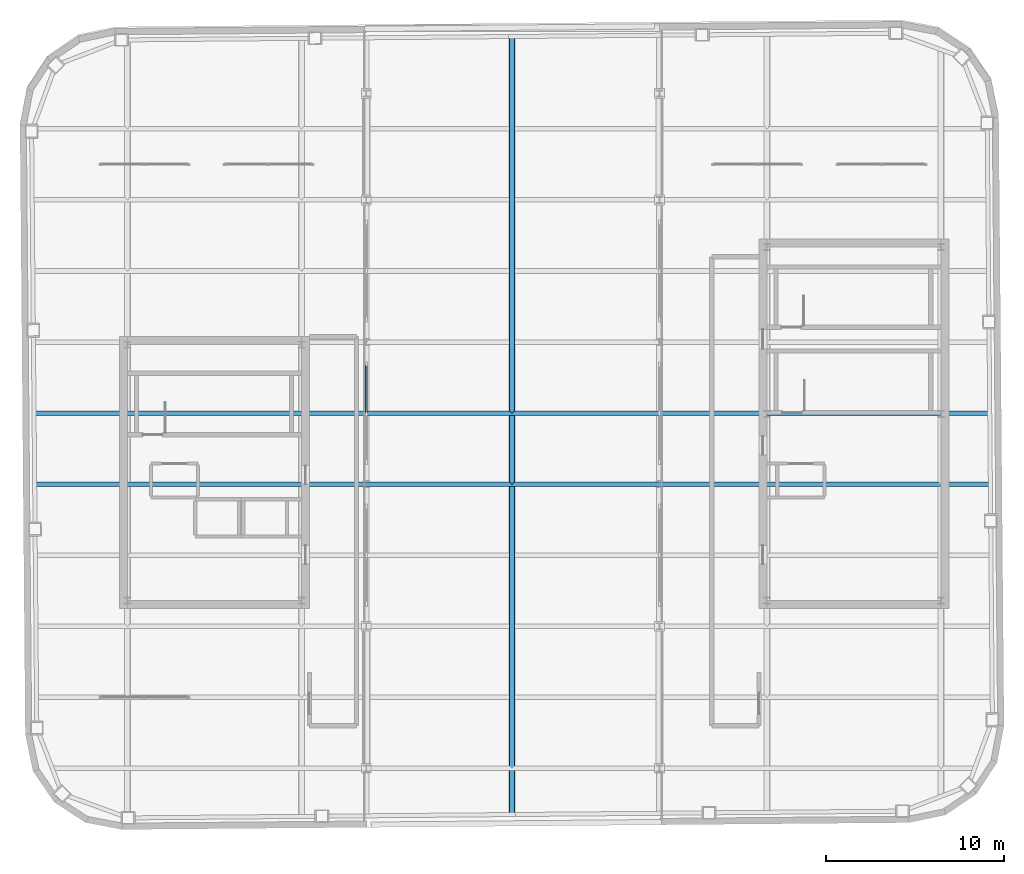
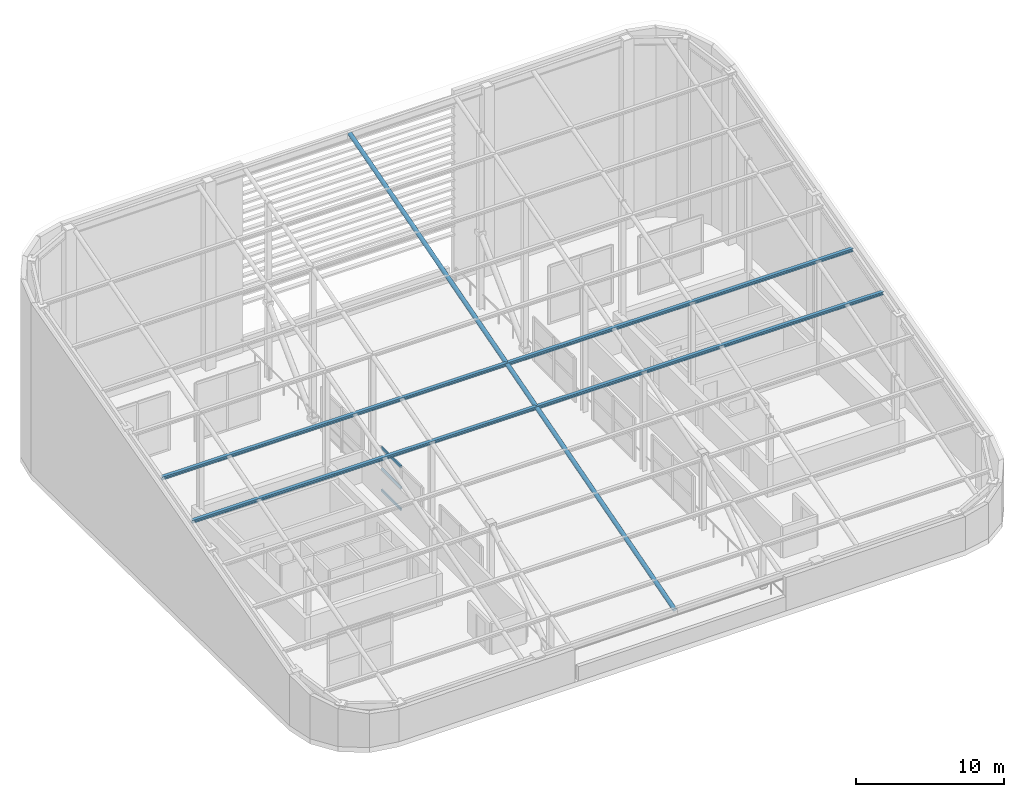
# One storey, part 8 of 17: 6 members, 1 element without a shape of its own.
"""IFC4 building model written with IfcOpenShell, lengths in metres."""

import ifcopenshell
import ifcopenshell.guid

model = None  # the IFC model being written
_history = None  # IfcOwnerHistory: only IFC2X3 demands one
_inside = {}  # id of a spatial element -> (the spatial element, [elements in it])
_under = {}  # id of a project, library or spatial element -> (it, [spatial elements below it])
_declared = {}  # id of a project -> (the project, [libraries it declares])
_typed = {}  # id of a type object -> (the type object, [elements of that type])
_made_of = {}  # id of a material, layer set ... -> (it, [elements and type objects made of it])


def new_model(schema):
    """Start an empty IFC model of exactly this schema.

    Asked for "IFC4X3", IfcOpenShell would pick the latest addendum, in which some entities
    have other attributes; the version numbers below select the first issue.
    IFC2X3 requires an IfcOwnerHistory on every rooted entity: one is made here for all.
    """
    global model, _history
    if schema == "IFC4X3":
        model = ifcopenshell.file(schema_version=(4, 3, 0, 0))
    else:
        model = ifcopenshell.file(schema=schema)
    _inside.clear()
    _under.clear()
    _declared.clear()
    _typed.clear()
    _made_of.clear()
    _history = None
    if model.schema == "IFC2X3":
        org = make("IfcOrganization", Name="unknown")
        user = make(
            "IfcPersonAndOrganization",
            ThePerson=make("IfcPerson", FamilyName="unknown"),
            TheOrganization=org,
        )
        app = make(
            "IfcApplication",
            ApplicationDeveloper=org,
            Version="unknown",
            ApplicationFullName="unknown",
            ApplicationIdentifier="unknown",
        )
        _history = make(
            "IfcOwnerHistory",
            OwningUser=user,
            OwningApplication=app,
            ChangeAction="ADDED",
            CreationDate=0,
        )
    return model


def make(cls, **values):
    """One entity of the class cls with the attributes given. An attribute that is None is left unset."""
    return model.create_entity(
        cls, **{name: value for name, value in values.items() if value is not None}
    )


def rooted(cls, **values):
    """An entity with a GlobalId (a new one), such as an element, a storey or a relation."""
    return make(cls, GlobalId=ifcopenshell.guid.new(), OwnerHistory=_history, **values)


def si_unit(unit_type, name, prefix=None):
    """IfcSIUnit, for example si_unit("LENGTHUNIT", "METRE", prefix="MILLI")."""
    return make("IfcSIUnit", UnitType=unit_type, Prefix=prefix, Name=name)


def assignment(units):
    """IfcUnitAssignment: the units of a project."""
    return None if units is None else make("IfcUnitAssignment", Units=units)


def point(xyz):
    """IfcCartesianPoint."""
    return None if xyz is None else make("IfcCartesianPoint", Coordinates=xyz)


def direction(xyz):
    """IfcDirection."""
    return None if xyz is None else make("IfcDirection", DirectionRatios=xyz)


def frame(location, z_axis=None, x_axis=None):
    """IfcAxis2Placement3D, a coordinate frame: its origin and axes. An axis left out is left unset."""
    return make(
        "IfcAxis2Placement3D",
        Location=point(location),
        Axis=direction(z_axis),
        RefDirection=direction(x_axis),
    )


def frame_2d(location, x_axis=None):
    """IfcAxis2Placement2D, a coordinate frame in the plane: its origin and x axis."""
    return make(
        "IfcAxis2Placement2D", Location=point(location), RefDirection=direction(x_axis)
    )


def origin():
    """The frame at (0, 0, 0) with its axes left unset."""
    return frame((0.0, 0.0, 0.0))


def origin_2d():
    """The frame at (0, 0) in the plane with its x axis left unset."""
    return frame_2d((0.0, 0.0))


def place(relative_to, where):
    """IfcLocalPlacement: puts the frame where relative to a parent placement (None: the world)."""
    return make(
        "IfcLocalPlacement", PlacementRelTo=relative_to, RelativePlacement=where
    )


def context(
    kind, dimensions, precision=None, world=None, true_north=None, identifier=None
):
    """IfcGeometricRepresentationContext, for example the 3D "Model" context."""
    return make(
        "IfcGeometricRepresentationContext",
        ContextIdentifier=identifier,
        ContextType=kind,
        CoordinateSpaceDimension=dimensions,
        Precision=precision,
        WorldCoordinateSystem=world,
        TrueNorth=true_north,
    )


def subcontext(parent, identifier, kind, view, scale=None):
    """IfcGeometricRepresentationSubContext, for example "Body" below "Model"."""
    return make(
        "IfcGeometricRepresentationSubContext",
        ContextIdentifier=identifier,
        ContextType=kind,
        ParentContext=parent,
        TargetScale=scale,
        TargetView=view,
    )


def project(units=None, contexts=None):
    """IfcProject with its units and contexts."""
    return rooted(
        "IfcProject",
        Name="project",
        RepresentationContexts=contexts,
        UnitsInContext=assignment(units),
    )


def spatial(cls, under=None, at=None, **own):
    """A site, building, storey or space (cls), placed at a placement, below another one or the project."""
    s = rooted(cls, ObjectPlacement=at, **own)
    if under is not None:
        _under.setdefault(under.id(), (under, []))[1].append(s)
    return s


def profile(cls, at=None, kind="AREA", **sizes):
    """A parametric profile (cls). Its sizes go by their IFC names, for example OverallWidth=200.0."""
    return make(cls, ProfileType=kind, Position=at, **sizes)


def rectangle(**sizes):
    """IfcRectangleProfileDef."""
    return profile("IfcRectangleProfileDef", **sizes)


def hollow_circle(**sizes):
    """IfcCircleHollowProfileDef."""
    return profile("IfcCircleHollowProfileDef", **sizes)


def i_section(**sizes):
    """IfcIShapeProfileDef."""
    return profile("IfcIShapeProfileDef", **sizes)


def extrude(swept, where, along, depth):
    """IfcExtrudedAreaSolid: the profile swept, set in the frame where, extruded along a direction by depth."""
    return make(
        "IfcExtrudedAreaSolid",
        SweptArea=swept,
        Position=where,
        ExtrudedDirection=direction(along),
        Depth=depth,
    )


def shape(context_of_items, identifier, shape_type, items):
    """IfcShapeRepresentation: the items that make up one representation, for example the "Body"."""
    return make(
        "IfcShapeRepresentation",
        ContextOfItems=context_of_items,
        RepresentationIdentifier=identifier,
        RepresentationType=shape_type,
        Items=items,
    )


def material(Name=None, Category=None):
    """IfcMaterial."""
    return make("IfcMaterial", Name=Name, Category=Category)


def material_profile(
    of_material, cross_section, Name=None, Category=None, Priority=None
):
    """IfcMaterialProfile: a cross section and its material."""
    return make(
        "IfcMaterialProfile",
        Name=Name,
        Material=of_material,
        Profile=cross_section,
        Priority=Priority,
        Category=Category,
    )


def profile_set(profiles, Name=None, composite=None):
    """IfcMaterialProfileSet."""
    return make(
        "IfcMaterialProfileSet",
        Name=Name,
        MaterialProfiles=profiles,
        CompositeProfile=composite,
    )


def made_of(thing, what):
    """Note that an element or type object is made of a material, layer set ...; save() writes the relation."""
    if what is not None:
        _made_of.setdefault(what.id(), (what, []))[1].append(thing)
    return thing


def type_object(cls, material=None, **own):
    """A type object (cls), such as IfcWallType, which elements share."""
    return made_of(rooted(cls, **own), material)


def element(
    cls,
    number,
    at=None,
    inside=None,
    cuts=None,
    type_object=None,
    material=None,
    context=None,
    identifier="Body",
    shape_type=None,
    held_by="IfcProductDefinitionShape",
    body=None,
    shapes=None,
    **own,
):
    """One element of the class cls, such as IfcWall. Its Tag is "e" and its number.

    at: its placement. inside: the storey or other place that contains it. cuts: it is an
    opening in that element (IfcRelVoidsElement). A single representation is given by context,
    identifier, shape_type and body (its items); several are given by shapes. held_by: the class
    of the entity that holds the representations. save() writes the other relations.
    """
    e = rooted(cls, Tag="e%d" % number, ObjectPlacement=at, **own)
    if body is not None:
        shapes = [shape(context, identifier, shape_type, body)]
    if shapes is not None:
        e.Representation = make(held_by, Representations=shapes)
    if inside is not None:
        _inside.setdefault(inside.id(), (inside, []))[1].append(e)
    if cuts is not None:
        rooted(
            "IfcRelVoidsElement", RelatingBuildingElement=cuts, RelatedOpeningElement=e
        )
    if type_object is not None:
        _typed.setdefault(type_object.id(), (type_object, []))[1].append(e)
    return made_of(e, material)


def aggregate(whole, parts):
    """IfcRelAggregates: a whole, such as a stair, and the parts it consists of."""
    return rooted("IfcRelAggregates", RelatingObject=whole, RelatedObjects=parts)


def save(model, path):
    """Write the relations noted so far, then the file.

    IfcRelAggregates (storeys below a building ...), IfcRelContainedInSpatialStructure (elements
    in a storey), IfcRelDefinesByType, IfcRelAssociatesMaterial and IfcRelDeclares: one each for
    every whole, place, type object, material and project.
    """
    for whole, parts in _under.values():
        aggregate(whole, parts)
    for where, things in _inside.values():
        rooted(
            "IfcRelContainedInSpatialStructure",
            RelatedElements=things,
            RelatingStructure=where,
        )
    for kind, things in _typed.values():
        rooted("IfcRelDefinesByType", RelatedObjects=things, RelatingType=kind)
    for what, things in _made_of.values():
        rooted("IfcRelAssociatesMaterial", RelatedObjects=things, RelatingMaterial=what)
    for by, libraries in _declared.values():
        rooted("IfcRelDeclares", RelatingContext=by, RelatedDefinitions=libraries)
    model.write(path)


model = new_model("IFC4")

# Units and contexts
model_context = context("Model", 3, precision=1e-05, world=origin(), true_north=direction((0.0, 1.0)))
body_context = subcontext(model_context, "Body", "Model", "MODEL_VIEW")
ifc_project = project(units=[si_unit("LENGTHUNIT", "METRE"), si_unit("AREAUNIT", "SQUARE_METRE"), si_unit("VOLUMEUNIT", "CUBIC_METRE"), si_unit("PLANEANGLEUNIT", "RADIAN"), si_unit("MASSUNIT", "GRAM", prefix="KILO")], contexts=[model_context])

# Site, building, storey
site_placement = place(None, origin())
site = spatial("IfcSite", under=ifc_project, at=site_placement, CompositionType="ELEMENT")
building_placement = place(site_placement, origin())
building = spatial("IfcBuilding", under=site, at=building_placement, Name="Kolvaren Arena Tower", CompositionType="ELEMENT")
storey_placement = place(building_placement, frame((0.0, 0.0, 322.0)))
storey = spatial("IfcBuildingStorey", under=building, at=storey_placement, Name="Roof Crown", CompositionType="ELEMENT", Elevation=322.0)

# Member
ifc_material_1 = material(Name="Steel CSA G40.21 350WT", Category="steel")
ifc_material_profile_1 = material_profile(ifc_material_1, hollow_circle(Radius=0.162109375, WallThickness=0.01611328125, at=origin_2d()), Name="CHS 324x16")
ifc_profile_set_1 = profile_set([ifc_material_profile_1], Name="Steel CSA G40.21 350WT")
member_type_1 = type_object("IfcMemberType", Name="CR-BRACE1", PredefinedType="RAFTER", material=ifc_profile_set_1)
member_1_placement = place(storey_placement, frame((36.199951171875, 7.399169921875, 2.6669921875), z_axis=(0.0, 0.960877002341, 0.276975425574), x_axis=(-1.0, 0.0, 0.0)))
element("IfcMember", 1, at=member_1_placement, inside=storey, type_object=member_type_1, Name="Sloped Crown Roof Rafter 04", PredefinedType="RAFTER", context=body_context, shape_type="SweptSolid", body=[
    extrude(hollow_circle(Radius=0.162109375, WallThickness=0.01611328125, at=origin_2d()), origin(), (0.0, 0.0, 1.0), 45.585205078125),
])

# Curtain wall, members
ifc_material_2 = material(Name="Anodised aluminium unitised curtain wall", Category="aluminium")
curtain_wall_type = type_object("IfcCurtainWallType", Name="CW-SYS-04", PredefinedType="USERDEFINED", material=ifc_material_2)
curtain_wall_placement = place(storey_placement, origin())
curtain_wall = element("IfcCurtainWall", 2, at=curtain_wall_placement, inside=storey, type_object=curtain_wall_type, Name="Wind-Portal Throat Acoustic Curtain Screen (Roof Crown)", ObjectType="ACOUSTIC LOUVRE SCREEN", PredefinedType="USERDEFINED")
ifc_material_3 = material(Name="Anodised aluminium 6063-T6", Category="aluminium")
ifc_material_profile_2 = material_profile(ifc_material_3, rectangle(XDim=0.10009765625, YDim=0.199951171875, at=origin_2d()), Name="ALU-100x200")
ifc_profile_set_2 = profile_set([ifc_material_profile_2], Name="Anodised aluminium 6063-T6")
member_type_2 = type_object("IfcMemberType", Name="CWT-HVY", PredefinedType="USERDEFINED", material=ifc_profile_set_2)
member_2_placement = place(storey_placement, frame((28.0, 30.06005859375, 0.050048828125), z_axis=(0.0, 1.0, 0.0), x_axis=(-1.0, 0.0, 0.0)))
member_2 = element("IfcMember", 3, at=member_2_placement, type_object=member_type_2, Name="CW4 transom 2.1", ObjectType="TRANSOM", PredefinedType="USERDEFINED", context=body_context, shape_type="SweptSolid", body=[
    extrude(rectangle(XDim=0.10009765625, YDim=0.199951171875, at=origin_2d()), origin(), (0.0, 0.0, 1.0), 2.619873046875),
])
member_3_placement = place(storey_placement, frame((28.0, 30.06005859375, 1.800048828125), z_axis=(0.0, 1.0, 0.0), x_axis=(-1.0, 0.0, 0.0)))
member_3 = element("IfcMember", 4, at=member_3_placement, type_object=member_type_2, Name="CW4 transom 2.2", ObjectType="TRANSOM", PredefinedType="USERDEFINED", context=body_context, shape_type="SweptSolid", body=[
    extrude(rectangle(XDim=0.10009765625, YDim=0.199951171875, at=origin_2d()), origin(), (0.0, 0.0, 1.0), 2.619873046875),
])
member_4_placement = place(storey_placement, frame((28.0, 30.06005859375, 3.550048828125), z_axis=(0.0, 1.0, 0.0), x_axis=(-1.0, 0.0, 0.0)))
member_4 = element("IfcMember", 5, at=member_4_placement, type_object=member_type_2, Name="CW4 transom 2.3", ObjectType="TRANSOM", PredefinedType="USERDEFINED", context=body_context, shape_type="SweptSolid", body=[
    extrude(rectangle(XDim=0.10009765625, YDim=0.199951171875, at=origin_2d()), origin(), (0.0, 0.0, 1.0), 2.619873046875),
])
aggregate(curtain_wall, [member_2, member_3, member_4])

# Members
ifc_material_4 = material(Name="Steel CSA G40.21 350W", Category="steel")
ifc_material_profile_3 = material_profile(ifc_material_4, i_section(OverallWidth=0.25390625, OverallDepth=0.2529296875, WebThickness=0.008544921875, FlangeThickness=0.01416015625, FilletRadius=0.010009765625, at=origin_2d()), Name="W250x73")
ifc_profile_set_3 = profile_set([ifc_material_profile_3], Name="Steel CSA G40.21 350W")
member_type_3 = type_object("IfcMemberType", Name="PURLIN-CR1", PredefinedType="PURLIN", material=ifc_profile_set_3)
for number, where, z_axis, x_axis, name in (
    (6, (9.327880859375, 26.0, 8.06884765625), (1.0, 0.0, 0.0), (0.0, 1.0, 0.0), "Sloped Crown Roof Purlin 05"),
    (7, (9.29296875, 30.0, 9.2216796875), (1.0, 0.0, 0.0), (0.0, 1.0, 0.0), "Sloped Crown Roof Purlin 06"),
):
    element("IfcMember", number, at=place(storey_placement, frame(where, z_axis=z_axis, x_axis=x_axis)), inside=storey, type_object=member_type_3, Name=name, PredefinedType="PURLIN", context=body_context, shape_type="SweptSolid", body=[
        extrude(i_section(OverallWidth=0.25390625, OverallDepth=0.2529296875, WebThickness=0.008544921875, FlangeThickness=0.01416015625, FilletRadius=0.010009765625, at=origin_2d()), origin(), (0.0, 0.0, 1.0), 53.802001953125),
    ])

save(model, "model.ifc")
